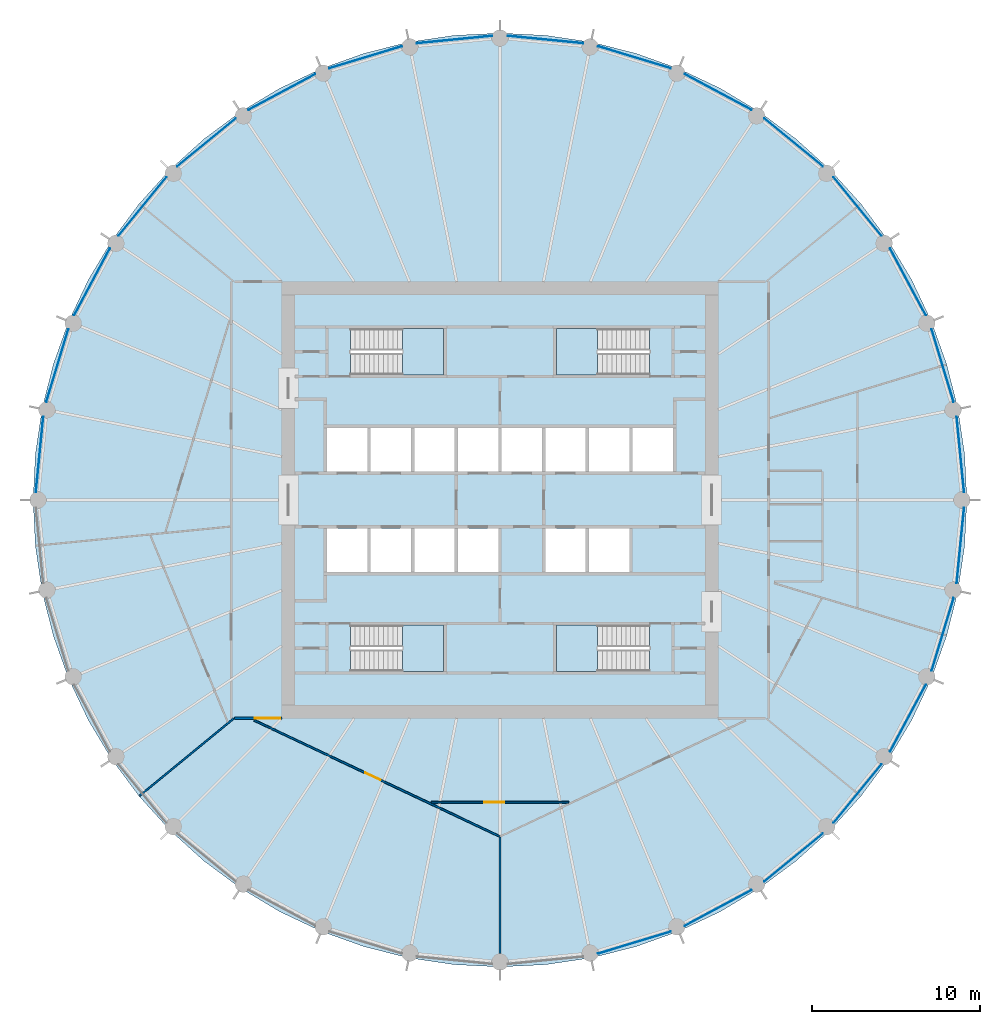
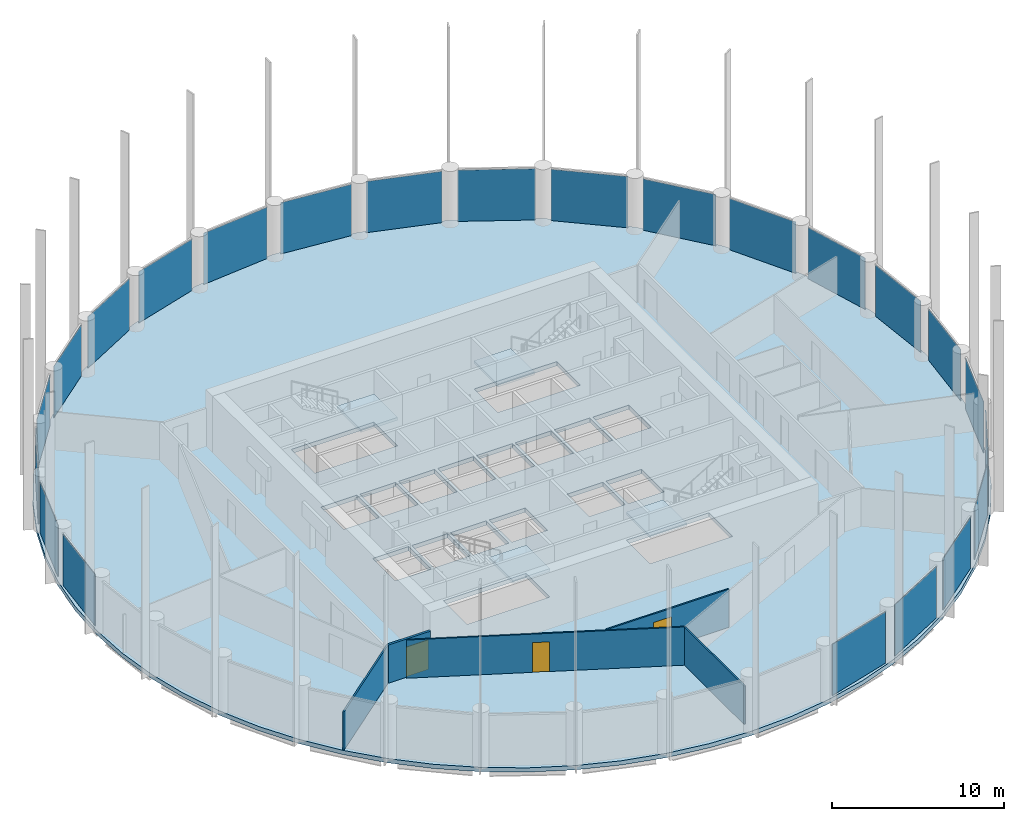
# One storey, part 3 of 8: 23 plates, 5 slabs, 5 walls, 3 doors, 3 openings, 27 elements without a shape of their own.
"""IFC4 building model written with IfcOpenShell, lengths in metres."""

from ifc_helpers import new_model, si_unit, direction, frame, frame_2d, origin, origin_2d, place, context, subcontext, project, spatial, polyline, rectangle, outline, extrude, material, layer, layer_set, type_object, element, fill, aggregate, save


model = new_model("IFC4")

# Units and contexts
model_context = context("Model", 3, precision=1e-05, world=origin(), true_north=direction((0.0, 1.0)))
body_context = subcontext(model_context, "Body", "Model", "MODEL_VIEW")
ifc_project = project(units=[si_unit("LENGTHUNIT", "METRE"), si_unit("AREAUNIT", "SQUARE_METRE"), si_unit("VOLUMEUNIT", "CUBIC_METRE"), si_unit("PLANEANGLEUNIT", "RADIAN"), si_unit("MASSUNIT", "GRAM", prefix="KILO")], contexts=[model_context])

# Site, building, storey
site_placement = place(None, origin())
site = spatial("IfcSite", under=ifc_project, at=site_placement, CompositionType="ELEMENT")
building_placement = place(site_placement, origin())
building = spatial("IfcBuilding", under=site, at=building_placement, Name="Corvane Civic Tower", CompositionType="ELEMENT")
storey_placement = place(building_placement, frame((0.0, 0.0, 249.5)))
storey = spatial("IfcBuildingStorey", under=building, at=storey_placement, Name="L59", CompositionType="ELEMENT", Elevation=249.5)

# Slab
ifc_material_1 = material(Name="Concrete C40/50", Category="concrete")
ifc_layer_1 = layer(ifc_material_1, 0.300048828125)
ifc_layer_set_1 = layer_set([ifc_layer_1], Name="Concrete C40/50")
slab_type_1 = type_object("IfcSlabType", Name="FLOOR SLAB 300", PredefinedType="FLOOR", material=ifc_layer_set_1)
slab_1_placement = place(storey_placement, frame((0.0, 0.0, -0.300048828125)))
element("IfcSlab", 1, at=slab_1_placement, inside=storey, type_object=slab_type_1, Name="SLB-L59", PredefinedType="FLOOR", context=body_context, shape_type="SweptSolid", body=[
    extrude(outline(polyline([(0.0, 27.800048828125), (-2.724853515625, 27.666015625), (-5.423583984375, 27.265869140625), (-8.06982421875, 26.60302734375), (-10.638671875, 25.683837890625), (-13.104736328125, 24.517333984375), (-15.44482421875, 23.11474609375), (-17.63623046875, 21.48974609375), (-19.657470703125, 19.657470703125), (-21.48974609375, 17.63623046875), (-23.11474609375, 15.44482421875), (-24.517333984375, 13.104736328125), (-25.683837890625, 10.638671875), (-26.60302734375, 8.06982421875), (-27.265869140625, 5.423583984375), (-27.666015625, 2.724853515625), (-27.800048828125, 0.0), (-27.666015625, -2.724853515625), (-27.265869140625, -5.423583984375), (-26.60302734375, -8.06982421875), (-25.683837890625, -10.638671875), (-24.517333984375, -13.104736328125), (-23.11474609375, -15.44482421875), (-21.48974609375, -17.63623046875), (-19.657470703125, -19.657470703125), (-17.63623046875, -21.48974609375), (-15.44482421875, -23.11474609375), (-13.104736328125, -24.517333984375), (-10.638671875, -25.683837890625), (-8.06982421875, -26.60302734375), (-5.423583984375, -27.265869140625), (-2.724853515625, -27.666015625), (0.0, -27.800048828125), (2.724853515625, -27.666015625), (5.423583984375, -27.265869140625), (8.06982421875, -26.60302734375), (10.638671875, -25.683837890625), (13.104736328125, -24.517333984375), (15.44482421875, -23.11474609375), (17.63623046875, -21.48974609375), (19.657470703125, -19.657470703125), (21.48974609375, -17.63623046875), (23.11474609375, -15.44482421875), (24.517333984375, -13.104736328125), (25.683837890625, -10.638671875), (26.60302734375, -8.06982421875), (27.265869140625, -5.423583984375), (27.666015625, -2.724853515625), (27.800048828125, 0.0), (27.666015625, 2.724853515625), (27.265869140625, 5.423583984375), (26.60302734375, 8.06982421875), (25.683837890625, 10.638671875), (24.517333984375, 13.104736328125), (23.11474609375, 15.44482421875), (21.48974609375, 17.63623046875), (19.657470703125, 19.657470703125), (17.63623046875, 21.48974609375), (15.44482421875, 23.11474609375), (13.104736328125, 24.517333984375), (10.638671875, 25.683837890625), (8.06982421875, 26.60302734375), (5.423583984375, 27.265869140625), (2.724853515625, 27.666015625), (0.0, 27.800048828125)]), holes=[polyline([(-10.300048828125, 4.300048828125), (-7.89990234375, 4.300048828125), (-7.89990234375, 1.699951171875), (-10.300048828125, 1.699951171875), (-10.300048828125, 4.300048828125)]), polyline([(-5.300048828125, 1.699951171875), (-7.699951171875, 1.699951171875), (-7.699951171875, 4.300048828125), (-5.300048828125, 4.300048828125), (-5.300048828125, 1.699951171875)]), polyline([(-5.10009765625, 4.300048828125), (-2.699951171875, 4.300048828125), (-2.699951171875, 1.699951171875), (-5.10009765625, 1.699951171875), (-5.10009765625, 4.300048828125)]), polyline([(-2.5, 4.300048828125), (-0.10009765625, 4.300048828125), (-0.10009765625, 1.699951171875), (-2.5, 1.699951171875), (-2.5, 4.300048828125)]), polyline([(0.10009765625, 4.300048828125), (2.5, 4.300048828125), (2.5, 1.699951171875), (0.10009765625, 1.699951171875), (0.10009765625, 4.300048828125)]), polyline([(2.699951171875, 4.300048828125), (5.10009765625, 4.300048828125), (5.10009765625, 1.699951171875), (2.699951171875, 1.699951171875), (2.699951171875, 4.300048828125)]), polyline([(5.300048828125, 4.300048828125), (7.699951171875, 4.300048828125), (7.699951171875, 1.699951171875), (5.300048828125, 1.699951171875), (5.300048828125, 4.300048828125)]), polyline([(7.89990234375, 4.300048828125), (10.300048828125, 4.300048828125), (10.300048828125, 1.699951171875), (7.89990234375, 1.699951171875), (7.89990234375, 4.300048828125)]), polyline([(-10.300048828125, -4.300048828125), (-10.300048828125, -1.699951171875), (-7.89990234375, -1.699951171875), (-7.89990234375, -4.300048828125), (-10.300048828125, -4.300048828125)]), polyline([(-5.300048828125, -1.699951171875), (-5.300048828125, -4.300048828125), (-7.699951171875, -4.300048828125), (-7.699951171875, -1.699951171875), (-5.300048828125, -1.699951171875)]), polyline([(-5.10009765625, -4.300048828125), (-5.10009765625, -1.699951171875), (-2.699951171875, -1.699951171875), (-2.699951171875, -4.300048828125), (-5.10009765625, -4.300048828125)]), polyline([(-0.10009765625, -1.699951171875), (-0.10009765625, -4.300048828125), (-2.5, -4.300048828125), (-2.5, -1.699951171875), (-0.10009765625, -1.699951171875)]), polyline([(5.10009765625, -1.699951171875), (5.10009765625, -4.300048828125), (2.699951171875, -4.300048828125), (2.699951171875, -1.699951171875), (5.10009765625, -1.699951171875)]), polyline([(7.699951171875, -1.699951171875), (7.699951171875, -4.300048828125), (5.300048828125, -4.300048828125), (5.300048828125, -1.699951171875), (7.699951171875, -1.699951171875)]), polyline([(8.889892578125, 10.199951171875), (8.889892578125, 7.449951171875), (3.35009765625, 7.449951171875), (3.35009765625, 10.199951171875), (8.889892578125, 10.199951171875)]), polyline([(-8.889892578125, 7.449951171875), (-8.889892578125, 10.199951171875), (-3.35009765625, 10.199951171875), (-3.35009765625, 7.449951171875), (-8.889892578125, 7.449951171875)]), polyline([(8.889892578125, -7.449951171875), (8.889892578125, -10.199951171875), (3.35009765625, -10.199951171875), (3.35009765625, -7.449951171875), (8.889892578125, -7.449951171875)]), polyline([(-8.889892578125, -10.199951171875), (-8.889892578125, -7.449951171875), (-3.35009765625, -7.449951171875), (-3.35009765625, -10.199951171875), (-8.889892578125, -10.199951171875)])]), origin(), (0.0, 0.0, 1.0), 0.300048828125),
])

# Stair, slab
ifc_material_2 = material(Name="Concrete C40/50", Category="concrete")
stair_type = type_object("IfcStairType", Name="ST-STAIR-HALFTURN", PredefinedType="HALF_TURN_STAIR", material=ifc_material_2)
stair_1_placement = place(storey_placement, origin())
stair_1 = element("IfcStair", 2, at=stair_1_placement, inside=storey, type_object=stair_type, Name="L59 Exit stair ST1", PredefinedType="HALF_TURN_STAIR")
ifc_material_3 = material(Name="Concrete C40/50", Category="concrete")
ifc_layer_2 = layer(ifc_material_3, 0.199951171875)
ifc_layer_set_2 = layer_set([ifc_layer_2], Name="Concrete C40/50")
slab_type_2 = type_object("IfcSlabType", Name="ST-LANDING-RC", PredefinedType="LANDING", material=ifc_layer_set_2)
slab_2_placement = place(storey_placement, frame((0.0, 0.0, 1.800048828125)))
slab_2 = element("IfcSlab", 3, at=slab_2_placement, type_object=slab_type_2, Name="ST1 landing 1", PredefinedType="LANDING", context=body_context, shape_type="SweptSolid", body=[
    extrude(outline(polyline([(5.820068359375, 10.199951171875), (3.35009765625, 10.199951171875), (3.35009765625, 7.449951171875), (5.820068359375, 7.449951171875), (5.820068359375, 10.199951171875)])), origin(), (0.0, 0.0, 1.0), 0.199951171875),
])
aggregate(stair_1, [slab_2])

stair_2_placement = place(storey_placement, origin())
stair_2 = element("IfcStair", 4, at=stair_2_placement, inside=storey, type_object=stair_type, Name="L59 Exit stair ST2", PredefinedType="HALF_TURN_STAIR")
slab_3_placement = place(storey_placement, frame((0.0, 0.0, 1.800048828125)))
slab_3 = element("IfcSlab", 5, at=slab_3_placement, type_object=slab_type_2, Name="ST2 landing 1", PredefinedType="LANDING", context=body_context, shape_type="SweptSolid", body=[
    extrude(outline(polyline([(5.820068359375, -7.449951171875), (3.35009765625, -7.449951171875), (3.35009765625, -10.199951171875), (5.820068359375, -10.199951171875), (5.820068359375, -7.449951171875)])), origin(), (0.0, 0.0, 1.0), 0.199951171875),
])
aggregate(stair_2, [slab_3])

stair_3_placement = place(storey_placement, origin())
stair_3 = element("IfcStair", 6, at=stair_3_placement, inside=storey, type_object=stair_type, Name="L59 Exit stair ST3", PredefinedType="HALF_TURN_STAIR")
slab_4_placement = place(storey_placement, frame((0.0, 0.0, 1.800048828125)))
slab_4 = element("IfcSlab", 7, at=slab_4_placement, type_object=slab_type_2, Name="ST3 landing 1", PredefinedType="LANDING", context=body_context, shape_type="SweptSolid", body=[
    extrude(outline(polyline([(-5.820068359375, -10.199951171875), (-3.35009765625, -10.199951171875), (-3.35009765625, -7.449951171875), (-5.820068359375, -7.449951171875), (-5.820068359375, -10.199951171875)])), origin(), (0.0, 0.0, 1.0), 0.199951171875),
])
aggregate(stair_3, [slab_4])

stair_4_placement = place(storey_placement, origin())
stair_4 = element("IfcStair", 8, at=stair_4_placement, inside=storey, type_object=stair_type, Name="L59 Exit stair ST4", PredefinedType="HALF_TURN_STAIR")
slab_5_placement = place(storey_placement, frame((0.0, 0.0, 1.800048828125)))
slab_5 = element("IfcSlab", 9, at=slab_5_placement, type_object=slab_type_2, Name="ST4 landing 1", PredefinedType="LANDING", context=body_context, shape_type="SweptSolid", body=[
    extrude(outline(polyline([(-5.820068359375, 7.449951171875), (-3.35009765625, 7.449951171875), (-3.35009765625, 10.199951171875), (-5.820068359375, 10.199951171875), (-5.820068359375, 7.449951171875)])), origin(), (0.0, 0.0, 1.0), 0.199951171875),
])
aggregate(stair_4, [slab_5])

# Curtain wall, plate
ifc_material_4 = material(Name="Anodised aluminium bronze", Category="aluminium")
curtain_wall_type = type_object("IfcCurtainWallType", Name="TOWER CW-T2 STICK CURTAIN WALL", PredefinedType="NOTDEFINED", material=ifc_material_4)
curtain_wall_1_placement = place(storey_placement, origin())
curtain_wall_1 = element("IfcCurtainWall", 10, at=curtain_wall_1_placement, inside=storey, type_object=curtain_wall_type, Name="Curtain wall CW-T2 L59 bay 01", PredefinedType="NOTDEFINED")
ifc_material_5 = material(Name="Tinted glass", Category="glass")
ifc_layer_3 = layer(ifc_material_5, 0.031982421875)
ifc_layer_set_3 = layer_set([ifc_layer_3], Name="Tinted glass")
plate_type = type_object("IfcPlateType", Name="TOWER CW-T2 PANEL IGU32", PredefinedType="CURTAIN_PANEL", material=ifc_layer_set_3)
plate_1_placement = place(storey_placement, frame((2.699951171875, 27.4140625, 0.0), z_axis=(0.0, 0.0, 1.0), x_axis=(0.995187058378, -0.097993463235, 0.0)))
plate_1 = element("IfcPlate", 11, at=plate_1_placement, type_object=plate_type, Name="Glass panel CW-T2 L59 01.1", PredefinedType="CURTAIN_PANEL", context=body_context, shape_type="SweptSolid", body=[
    extrude(rectangle(XDim=4.517333984375, YDim=0.031982421875, at=origin_2d()), origin(), (0.0, 0.0, 1.0), 3.6298828125),
])
aggregate(curtain_wall_1, [plate_1])

curtain_wall_2_placement = place(storey_placement, origin())
curtain_wall_2 = element("IfcCurtainWall", 12, at=curtain_wall_2_placement, inside=storey, type_object=curtain_wall_type, Name="Curtain wall CW-T2 L59 bay 02", PredefinedType="NOTDEFINED")
plate_2_placement = place(storey_placement, frame((7.996337890625, 26.360595703125, 0.0), z_axis=(0.0, 0.0, 1.0), x_axis=(0.956938843612, -0.290289596069, 0.0)))
plate_2 = element("IfcPlate", 13, at=plate_2_placement, type_object=plate_type, Name="Glass panel CW-T2 L59 02.1", PredefinedType="CURTAIN_PANEL", context=body_context, shape_type="SweptSolid", body=[
    extrude(rectangle(XDim=4.517333984375, YDim=0.031982421875, at=origin_2d()), origin(), (0.0, 0.0, 1.0), 3.6298828125),
])
aggregate(curtain_wall_2, [plate_2])

curtain_wall_3_placement = place(storey_placement, origin())
curtain_wall_3 = element("IfcCurtainWall", 14, at=curtain_wall_3_placement, inside=storey, type_object=curtain_wall_type, Name="Curtain wall CW-T2 L59 bay 03", PredefinedType="NOTDEFINED")
plate_3_placement = place(storey_placement, frame((12.9853515625, 24.294189453125, 0.0), z_axis=(0.0, 0.0, 1.0), x_axis=(0.881920381001, -0.471398389449, 0.0)))
plate_3 = element("IfcPlate", 15, at=plate_3_placement, type_object=plate_type, Name="Glass panel CW-T2 L59 03.1", PredefinedType="CURTAIN_PANEL", context=body_context, shape_type="SweptSolid", body=[
    extrude(rectangle(XDim=4.517333984375, YDim=0.031982421875, at=origin_2d()), origin(), (0.0, 0.0, 1.0), 3.6298828125),
])
aggregate(curtain_wall_3, [plate_3])

curtain_wall_4_placement = place(storey_placement, origin())
curtain_wall_4 = element("IfcCurtainWall", 16, at=curtain_wall_4_placement, inside=storey, type_object=curtain_wall_type, Name="Curtain wall CW-T2 L59 bay 04", PredefinedType="NOTDEFINED")
plate_4_placement = place(storey_placement, frame((17.475341796875, 21.2939453125, 0.0), z_axis=(0.0, 0.0, 1.0), x_axis=(0.773012269331, -0.634391071394, 0.0)))
plate_4 = element("IfcPlate", 17, at=plate_4_placement, type_object=plate_type, Name="Glass panel CW-T2 L59 04.1", PredefinedType="CURTAIN_PANEL", context=body_context, shape_type="SweptSolid", body=[
    extrude(rectangle(XDim=4.517333984375, YDim=0.031982421875, at=origin_2d()), origin(), (0.0, 0.0, 1.0), 3.6298828125),
])
aggregate(curtain_wall_4, [plate_4])

curtain_wall_5_placement = place(storey_placement, origin())
curtain_wall_5 = element("IfcCurtainWall", 18, at=curtain_wall_5_placement, inside=storey, type_object=curtain_wall_type, Name="Curtain wall CW-T2 L59 bay 05", PredefinedType="NOTDEFINED")
plate_5_placement = place(storey_placement, frame((21.2939453125, 17.475341796875, 0.0), z_axis=(0.0, 0.0, 1.0), x_axis=(0.634391071394, -0.773012269331, 0.0)))
plate_5 = element("IfcPlate", 19, at=plate_5_placement, type_object=plate_type, Name="Glass panel CW-T2 L59 05.1", PredefinedType="CURTAIN_PANEL", context=body_context, shape_type="SweptSolid", body=[
    extrude(rectangle(XDim=4.517333984375, YDim=0.031982421875, at=origin_2d()), origin(), (0.0, 0.0, 1.0), 3.6298828125),
])
aggregate(curtain_wall_5, [plate_5])

curtain_wall_6_placement = place(storey_placement, origin())
curtain_wall_6 = element("IfcCurtainWall", 20, at=curtain_wall_6_placement, inside=storey, type_object=curtain_wall_type, Name="Curtain wall CW-T2 L59 bay 06", PredefinedType="NOTDEFINED")
plate_6_placement = place(storey_placement, frame((24.294189453125, 12.9853515625, 0.0), z_axis=(0.0, 0.0, 1.0), x_axis=(0.471398389449, -0.881920381001, 0.0)))
plate_6 = element("IfcPlate", 21, at=plate_6_placement, type_object=plate_type, Name="Glass panel CW-T2 L59 06.1", PredefinedType="CURTAIN_PANEL", context=body_context, shape_type="SweptSolid", body=[
    extrude(rectangle(XDim=4.517333984375, YDim=0.031982421875, at=origin_2d()), origin(), (0.0, 0.0, 1.0), 3.6298828125),
])
aggregate(curtain_wall_6, [plate_6])

curtain_wall_7_placement = place(storey_placement, origin())
curtain_wall_7 = element("IfcCurtainWall", 22, at=curtain_wall_7_placement, inside=storey, type_object=curtain_wall_type, Name="Curtain wall CW-T2 L59 bay 07", PredefinedType="NOTDEFINED")
plate_7_placement = place(storey_placement, frame((26.360595703125, 7.996337890625, 0.0), z_axis=(0.0, 0.0, 1.0), x_axis=(0.290289596069, -0.956938843612, 0.0)))
plate_7 = element("IfcPlate", 23, at=plate_7_placement, type_object=plate_type, Name="Glass panel CW-T2 L59 07.1", PredefinedType="CURTAIN_PANEL", context=body_context, shape_type="SweptSolid", body=[
    extrude(rectangle(XDim=4.517333984375, YDim=0.031982421875, at=origin_2d()), origin(), (0.0, 0.0, 1.0), 3.6298828125),
])
aggregate(curtain_wall_7, [plate_7])

curtain_wall_8_placement = place(storey_placement, origin())
curtain_wall_8 = element("IfcCurtainWall", 24, at=curtain_wall_8_placement, inside=storey, type_object=curtain_wall_type, Name="Curtain wall CW-T2 L59 bay 08", PredefinedType="NOTDEFINED")
plate_8_placement = place(storey_placement, frame((27.4140625, 2.699951171875, 0.0), z_axis=(0.0, 0.0, 1.0), x_axis=(0.097993463235, -0.995187058378, 0.0)))
plate_8 = element("IfcPlate", 25, at=plate_8_placement, type_object=plate_type, Name="Glass panel CW-T2 L59 08.1", PredefinedType="CURTAIN_PANEL", context=body_context, shape_type="SweptSolid", body=[
    extrude(rectangle(XDim=4.517333984375, YDim=0.031982421875, at=origin_2d()), origin(), (0.0, 0.0, 1.0), 3.6298828125),
])
aggregate(curtain_wall_8, [plate_8])

curtain_wall_9_placement = place(storey_placement, origin())
curtain_wall_9 = element("IfcCurtainWall", 26, at=curtain_wall_9_placement, inside=storey, type_object=curtain_wall_type, Name="Curtain wall CW-T2 L59 bay 09", PredefinedType="NOTDEFINED")
plate_9_placement = place(storey_placement, frame((27.4140625, -2.699951171875, 0.0), z_axis=(0.0, 0.0, 1.0), x_axis=(-0.097993463235, -0.995187058378, 0.0)))
plate_9 = element("IfcPlate", 27, at=plate_9_placement, type_object=plate_type, Name="Glass panel CW-T2 L59 09.1", PredefinedType="CURTAIN_PANEL", context=body_context, shape_type="SweptSolid", body=[
    extrude(rectangle(XDim=4.517333984375, YDim=0.031982421875, at=origin_2d()), origin(), (0.0, 0.0, 1.0), 3.6298828125),
])
aggregate(curtain_wall_9, [plate_9])

curtain_wall_10_placement = place(storey_placement, origin())
curtain_wall_10 = element("IfcCurtainWall", 28, at=curtain_wall_10_placement, inside=storey, type_object=curtain_wall_type, Name="Curtain wall CW-T2 L59 bay 10", PredefinedType="NOTDEFINED")
plate_10_placement = place(storey_placement, frame((26.360595703125, -7.996337890625, 0.0), z_axis=(0.0, 0.0, 1.0), x_axis=(-0.290289596069, -0.956938843612, 0.0)))
plate_10 = element("IfcPlate", 29, at=plate_10_placement, type_object=plate_type, Name="Glass panel CW-T2 L59 10.1", PredefinedType="CURTAIN_PANEL", context=body_context, shape_type="SweptSolid", body=[
    extrude(rectangle(XDim=4.517333984375, YDim=0.031982421875, at=origin_2d()), origin(), (0.0, 0.0, 1.0), 3.6298828125),
])
aggregate(curtain_wall_10, [plate_10])

curtain_wall_11_placement = place(storey_placement, origin())
curtain_wall_11 = element("IfcCurtainWall", 30, at=curtain_wall_11_placement, inside=storey, type_object=curtain_wall_type, Name="Curtain wall CW-T2 L59 bay 11", PredefinedType="NOTDEFINED")
plate_11_placement = place(storey_placement, frame((24.294189453125, -12.9853515625, 0.0), z_axis=(0.0, 0.0, 1.0), x_axis=(-0.471398389449, -0.881920381001, 0.0)))
plate_11 = element("IfcPlate", 31, at=plate_11_placement, type_object=plate_type, Name="Glass panel CW-T2 L59 11.1", PredefinedType="CURTAIN_PANEL", context=body_context, shape_type="SweptSolid", body=[
    extrude(rectangle(XDim=4.517333984375, YDim=0.031982421875, at=origin_2d()), origin(), (0.0, 0.0, 1.0), 3.6298828125),
])
aggregate(curtain_wall_11, [plate_11])

curtain_wall_12_placement = place(storey_placement, origin())
curtain_wall_12 = element("IfcCurtainWall", 32, at=curtain_wall_12_placement, inside=storey, type_object=curtain_wall_type, Name="Curtain wall CW-T2 L59 bay 12", PredefinedType="NOTDEFINED")
plate_12_placement = place(storey_placement, frame((21.2939453125, -17.475341796875, 0.0), z_axis=(0.0, 0.0, 1.0), x_axis=(-0.634391071394, -0.773012269331, 0.0)))
plate_12 = element("IfcPlate", 33, at=plate_12_placement, type_object=plate_type, Name="Glass panel CW-T2 L59 12.1", PredefinedType="CURTAIN_PANEL", context=body_context, shape_type="SweptSolid", body=[
    extrude(rectangle(XDim=4.517333984375, YDim=0.031982421875, at=origin_2d()), origin(), (0.0, 0.0, 1.0), 3.6298828125),
])
aggregate(curtain_wall_12, [plate_12])

curtain_wall_13_placement = place(storey_placement, origin())
curtain_wall_13 = element("IfcCurtainWall", 34, at=curtain_wall_13_placement, inside=storey, type_object=curtain_wall_type, Name="Curtain wall CW-T2 L59 bay 13", PredefinedType="NOTDEFINED")
plate_13_placement = place(storey_placement, frame((17.475341796875, -21.2939453125, 0.0), z_axis=(0.0, 0.0, 1.0), x_axis=(-0.773012269331, -0.634391071394, 0.0)))
plate_13 = element("IfcPlate", 35, at=plate_13_placement, type_object=plate_type, Name="Glass panel CW-T2 L59 13.1", PredefinedType="CURTAIN_PANEL", context=body_context, shape_type="SweptSolid", body=[
    extrude(rectangle(XDim=4.517333984375, YDim=0.031982421875, at=origin_2d()), origin(), (0.0, 0.0, 1.0), 3.6298828125),
])
aggregate(curtain_wall_13, [plate_13])

curtain_wall_14_placement = place(storey_placement, origin())
curtain_wall_14 = element("IfcCurtainWall", 36, at=curtain_wall_14_placement, inside=storey, type_object=curtain_wall_type, Name="Curtain wall CW-T2 L59 bay 14", PredefinedType="NOTDEFINED")
plate_14_placement = place(storey_placement, frame((12.9853515625, -24.294189453125, 0.0), z_axis=(0.0, 0.0, 1.0), x_axis=(-0.881920381001, -0.471398389449, 0.0)))
plate_14 = element("IfcPlate", 37, at=plate_14_placement, type_object=plate_type, Name="Glass panel CW-T2 L59 14.1", PredefinedType="CURTAIN_PANEL", context=body_context, shape_type="SweptSolid", body=[
    extrude(rectangle(XDim=4.517333984375, YDim=0.031982421875, at=origin_2d()), origin(), (0.0, 0.0, 1.0), 3.6298828125),
])
aggregate(curtain_wall_14, [plate_14])

curtain_wall_15_placement = place(storey_placement, origin())
curtain_wall_15 = element("IfcCurtainWall", 38, at=curtain_wall_15_placement, inside=storey, type_object=curtain_wall_type, Name="Curtain wall CW-T2 L59 bay 15", PredefinedType="NOTDEFINED")
plate_15_placement = place(storey_placement, frame((7.996337890625, -26.360595703125, 0.0), z_axis=(0.0, 0.0, 1.0), x_axis=(-0.956938843612, -0.290289596069, 0.0)))
plate_15 = element("IfcPlate", 39, at=plate_15_placement, type_object=plate_type, Name="Glass panel CW-T2 L59 15.1", PredefinedType="CURTAIN_PANEL", context=body_context, shape_type="SweptSolid", body=[
    extrude(rectangle(XDim=4.517333984375, YDim=0.031982421875, at=origin_2d()), origin(), (0.0, 0.0, 1.0), 3.6298828125),
])
aggregate(curtain_wall_15, [plate_15])

curtain_wall_16_placement = place(storey_placement, origin())
curtain_wall_16 = element("IfcCurtainWall", 40, at=curtain_wall_16_placement, inside=storey, type_object=curtain_wall_type, Name="Curtain wall CW-T2 L59 bay 25", PredefinedType="NOTDEFINED")
plate_16_placement = place(storey_placement, frame((-27.4140625, 2.699951171875, 0.0), z_axis=(0.0, 0.0, 1.0), x_axis=(0.097993463235, 0.995187058378, 0.0)))
plate_16 = element("IfcPlate", 41, at=plate_16_placement, type_object=plate_type, Name="Glass panel CW-T2 L59 25.1", PredefinedType="CURTAIN_PANEL", context=body_context, shape_type="SweptSolid", body=[
    extrude(rectangle(XDim=4.517333984375, YDim=0.031982421875, at=origin_2d()), origin(), (0.0, 0.0, 1.0), 3.6298828125),
])
aggregate(curtain_wall_16, [plate_16])

curtain_wall_17_placement = place(storey_placement, origin())
curtain_wall_17 = element("IfcCurtainWall", 42, at=curtain_wall_17_placement, inside=storey, type_object=curtain_wall_type, Name="Curtain wall CW-T2 L59 bay 26", PredefinedType="NOTDEFINED")
plate_17_placement = place(storey_placement, frame((-26.360595703125, 7.996337890625, 0.0), z_axis=(0.0, 0.0, 1.0), x_axis=(0.290289596069, 0.956938843612, 0.0)))
plate_17 = element("IfcPlate", 43, at=plate_17_placement, type_object=plate_type, Name="Glass panel CW-T2 L59 26.1", PredefinedType="CURTAIN_PANEL", context=body_context, shape_type="SweptSolid", body=[
    extrude(rectangle(XDim=4.517333984375, YDim=0.031982421875, at=origin_2d()), origin(), (0.0, 0.0, 1.0), 3.6298828125),
])
aggregate(curtain_wall_17, [plate_17])

curtain_wall_18_placement = place(storey_placement, origin())
curtain_wall_18 = element("IfcCurtainWall", 44, at=curtain_wall_18_placement, inside=storey, type_object=curtain_wall_type, Name="Curtain wall CW-T2 L59 bay 27", PredefinedType="NOTDEFINED")
plate_18_placement = place(storey_placement, frame((-24.294189453125, 12.9853515625, 0.0), z_axis=(0.0, 0.0, 1.0), x_axis=(0.471398389449, 0.881920381001, 0.0)))
plate_18 = element("IfcPlate", 45, at=plate_18_placement, type_object=plate_type, Name="Glass panel CW-T2 L59 27.1", PredefinedType="CURTAIN_PANEL", context=body_context, shape_type="SweptSolid", body=[
    extrude(rectangle(XDim=4.517333984375, YDim=0.031982421875, at=origin_2d()), origin(), (0.0, 0.0, 1.0), 3.6298828125),
])
aggregate(curtain_wall_18, [plate_18])

curtain_wall_19_placement = place(storey_placement, origin())
curtain_wall_19 = element("IfcCurtainWall", 46, at=curtain_wall_19_placement, inside=storey, type_object=curtain_wall_type, Name="Curtain wall CW-T2 L59 bay 28", PredefinedType="NOTDEFINED")
plate_19_placement = place(storey_placement, frame((-21.2939453125, 17.475341796875, 0.0), z_axis=(0.0, 0.0, 1.0), x_axis=(0.634391071394, 0.773012269331, 0.0)))
plate_19 = element("IfcPlate", 47, at=plate_19_placement, type_object=plate_type, Name="Glass panel CW-T2 L59 28.1", PredefinedType="CURTAIN_PANEL", context=body_context, shape_type="SweptSolid", body=[
    extrude(rectangle(XDim=4.517333984375, YDim=0.031982421875, at=origin_2d()), origin(), (0.0, 0.0, 1.0), 3.6298828125),
])
aggregate(curtain_wall_19, [plate_19])

curtain_wall_20_placement = place(storey_placement, origin())
curtain_wall_20 = element("IfcCurtainWall", 48, at=curtain_wall_20_placement, inside=storey, type_object=curtain_wall_type, Name="Curtain wall CW-T2 L59 bay 29", PredefinedType="NOTDEFINED")
plate_20_placement = place(storey_placement, frame((-17.475341796875, 21.2939453125, 0.0), z_axis=(0.0, 0.0, 1.0), x_axis=(0.773012269331, 0.634391071394, 0.0)))
plate_20 = element("IfcPlate", 49, at=plate_20_placement, type_object=plate_type, Name="Glass panel CW-T2 L59 29.1", PredefinedType="CURTAIN_PANEL", context=body_context, shape_type="SweptSolid", body=[
    extrude(rectangle(XDim=4.517333984375, YDim=0.031982421875, at=origin_2d()), origin(), (0.0, 0.0, 1.0), 3.6298828125),
])
aggregate(curtain_wall_20, [plate_20])

curtain_wall_21_placement = place(storey_placement, origin())
curtain_wall_21 = element("IfcCurtainWall", 50, at=curtain_wall_21_placement, inside=storey, type_object=curtain_wall_type, Name="Curtain wall CW-T2 L59 bay 30", PredefinedType="NOTDEFINED")
plate_21_placement = place(storey_placement, frame((-12.9853515625, 24.294189453125, 0.0), z_axis=(0.0, 0.0, 1.0), x_axis=(0.881920381001, 0.471398389449, 0.0)))
plate_21 = element("IfcPlate", 51, at=plate_21_placement, type_object=plate_type, Name="Glass panel CW-T2 L59 30.1", PredefinedType="CURTAIN_PANEL", context=body_context, shape_type="SweptSolid", body=[
    extrude(rectangle(XDim=4.517333984375, YDim=0.031982421875, at=origin_2d()), origin(), (0.0, 0.0, 1.0), 3.6298828125),
])
aggregate(curtain_wall_21, [plate_21])

curtain_wall_22_placement = place(storey_placement, origin())
curtain_wall_22 = element("IfcCurtainWall", 52, at=curtain_wall_22_placement, inside=storey, type_object=curtain_wall_type, Name="Curtain wall CW-T2 L59 bay 31", PredefinedType="NOTDEFINED")
plate_22_placement = place(storey_placement, frame((-7.996337890625, 26.360595703125, 0.0), z_axis=(0.0, 0.0, 1.0), x_axis=(0.956938843612, 0.290289596069, 0.0)))
plate_22 = element("IfcPlate", 53, at=plate_22_placement, type_object=plate_type, Name="Glass panel CW-T2 L59 31.1", PredefinedType="CURTAIN_PANEL", context=body_context, shape_type="SweptSolid", body=[
    extrude(rectangle(XDim=4.517333984375, YDim=0.031982421875, at=origin_2d()), origin(), (0.0, 0.0, 1.0), 3.6298828125),
])
aggregate(curtain_wall_22, [plate_22])

curtain_wall_23_placement = place(storey_placement, origin())
curtain_wall_23 = element("IfcCurtainWall", 54, at=curtain_wall_23_placement, inside=storey, type_object=curtain_wall_type, Name="Curtain wall CW-T2 L59 bay 32", PredefinedType="NOTDEFINED")
plate_23_placement = place(storey_placement, frame((-2.699951171875, 27.4140625, 0.0), z_axis=(0.0, 0.0, 1.0), x_axis=(0.995187058378, 0.097993463235, 0.0)))
plate_23 = element("IfcPlate", 55, at=plate_23_placement, type_object=plate_type, Name="Glass panel CW-T2 L59 32.1", PredefinedType="CURTAIN_PANEL", context=body_context, shape_type="SweptSolid", body=[
    extrude(rectangle(XDim=4.517333984375, YDim=0.031982421875, at=origin_2d()), origin(), (0.0, 0.0, 1.0), 3.6298828125),
])
aggregate(curtain_wall_23, [plate_23])

# Wall
ifc_material_6 = material(Name="Plasterboard")
ifc_layer_4 = layer(ifc_material_6, 0.10009765625)
ifc_layer_set_4 = layer_set([ifc_layer_4], Name="Plasterboard")
wall_type_1 = type_object("IfcWallType", Name="Partition 100 plasterboard on studs", PredefinedType="PARTITIONING", material=ifc_layer_set_4)
wall_1_placement = place(storey_placement, frame((0.0, -26.989990234375, 0.0), z_axis=(0.0, 0.0, 1.0), x_axis=(0.0, 1.0, 0.0)))
element("IfcWall", 56, at=wall_1_placement, inside=storey, type_object=wall_type_1, Name="Partition L59.001", PredefinedType="PARTITIONING", context=body_context, shape_type="SweptSolid", body=[
    extrude(rectangle(XDim=6.91748046875, YDim=0.10009765625, at=frame_2d((3.458740234375, 0.0))), origin(), (0.0, 0.0, 1.0), 2.699951171875),
])

# Wall, opening, door
wall_2_placement = place(storey_placement, frame((-14.632568359375, -13.1201171875, 0.0), z_axis=(0.0, 0.0, 1.0), x_axis=(0.903988165601, -0.427557477368, 0.0)))
wall_2 = element("IfcWall", 57, at=wall_2_placement, inside=storey, type_object=wall_type_1, Name="Partition L59.002", PredefinedType="PARTITIONING", context=body_context, shape_type="SweptSolid", body=[
    extrude(rectangle(XDim=16.155029296875, YDim=0.10009765625, at=frame_2d((8.07763671875, 0.0))), origin(), (0.0, 0.0, 1.0), 2.699951171875),
])
opening_1_placement = place(wall_2_placement, frame((7.306884765625, 0.0, 0.0)))
opening_1 = element("IfcOpeningElement", 58, at=opening_1_placement, cuts=wall_2, Name="Opening L59.003", PredefinedType="OPENING", context=body_context, shape_type="SweptSolid", body=[
    extrude(rectangle(XDim=1.0, YDim=2.10009765625, at=frame_2d((0.5, 1.050048828125))), frame((0.0, 0.06005859375, 0.0), z_axis=(0.0, -1.0, 0.0), x_axis=(1.0, 0.0, 0.0)), (0.0, 0.0, 1.0), 0.1201171875),
])
ifc_material_7 = material(Name="Timber", Category="wood")
door_type_1 = type_object("IfcDoorType", Name="Single door 1000", OperationType="NOTDEFINED", PredefinedType="DOOR", material=ifc_material_7)
door_1_placement = place(opening_1_placement, frame((1.0, 0.0, 0.0), z_axis=(0.0, 0.0, 1.0), x_axis=(-1.0, 0.0, 0.0)))
door_1 = element("IfcDoor", 59, at=door_1_placement, inside=storey, type_object=door_type_1, Name="Door L59.003", OperationType="SINGLE_SWING_RIGHT", OverallHeight=2.10009765625, OverallWidth=1.0, PredefinedType="DOOR", context=body_context, shape_type="SweptSolid", body=[
    extrude(rectangle(XDim=1.0, YDim=2.10009765625, at=frame_2d((0.5, 1.050048828125))), frame((0.0, 0.02490234375, 0.0), z_axis=(0.0, -1.0, 0.0), x_axis=(1.0, 0.0, 0.0)), (0.0, 0.0, 1.0), 0.050048828125),
])
fill(opening_1, door_1)

wall_3_placement = place(storey_placement, frame((-4.092529296875, -18.0, 0.0), z_axis=(0.0, 0.0, 1.0), x_axis=(1.0, 0.0, 0.0)))
wall_3 = element("IfcWall", 60, at=wall_3_placement, inside=storey, type_object=wall_type_1, Name="Partition L59.004", PredefinedType="PARTITIONING", context=body_context, shape_type="SweptSolid", body=[
    extrude(rectangle(XDim=8.18505859375, YDim=0.10009765625, at=frame_2d((4.092529296875, 0.0))), origin(), (0.0, 0.0, 1.0), 2.699951171875),
])
opening_2_placement = place(wall_3_placement, frame((3.157958984375, 0.0, 0.0)))
opening_2 = element("IfcOpeningElement", 61, at=opening_2_placement, cuts=wall_3, Name="Opening L59.004", PredefinedType="OPENING", context=body_context, shape_type="SweptSolid", body=[
    extrude(rectangle(XDim=1.199951171875, YDim=2.10009765625, at=frame_2d((0.60009765625, 1.050048828125))), frame((0.0, 0.06005859375, 0.0), z_axis=(0.0, -1.0, 0.0), x_axis=(1.0, 0.0, 0.0)), (0.0, 0.0, 1.0), 0.1201171875),
])
ifc_material_8 = material(Name="Timber", Category="wood")
door_type_2 = type_object("IfcDoorType", Name="Double door 1200", OperationType="NOTDEFINED", PredefinedType="DOOR", material=ifc_material_8)
door_2_placement = place(opening_2_placement, frame((1.199951171875, 0.0, 0.0), z_axis=(0.0, 0.0, 1.0), x_axis=(-1.0, 0.0, 0.0)))
door_2 = element("IfcDoor", 62, at=door_2_placement, inside=storey, type_object=door_type_2, Name="Door L59.004", OperationType="DOUBLE_DOOR_SINGLE_SWING", OverallHeight=2.10009765625, OverallWidth=1.199951171875, PredefinedType="DOOR", context=body_context, shape_type="SweptSolid", body=[
    extrude(rectangle(XDim=1.199951171875, YDim=2.10009765625, at=frame_2d((0.60009765625, 1.050048828125))), frame((0.0, 0.02490234375, 0.0), z_axis=(0.0, -1.0, 0.0), x_axis=(1.0, 0.0, 0.0)), (0.0, 0.0, 1.0), 0.050048828125),
])
fill(opening_2, door_2)

# Wall
wall_4_placement = place(storey_placement, frame((-21.451171875, -17.6044921875, 0.0), z_axis=(0.0, 0.0, 1.0), x_axis=(0.772997895748, 0.634408585352, 0.0)))
element("IfcWall", 63, at=wall_4_placement, inside=storey, type_object=wall_type_1, Name="Partition L59.005", PredefinedType="PARTITIONING", context=body_context, shape_type="SweptSolid", body=[
    extrude(rectangle(XDim=7.240234375, YDim=0.10009765625, at=frame_2d((3.6201171875, 0.0))), origin(), (0.0, 0.0, 1.0), 2.699951171875),
])

# Wall, opening, door
ifc_material_9 = material(Name="Plasterboard")
ifc_layer_5 = layer(ifc_material_9, 0.14990234375)
ifc_layer_set_5 = layer_set([ifc_layer_5], Name="Plasterboard")
wall_type_2 = type_object("IfcWallType", Name="Tenancy wall 150 EI 60", PredefinedType="PARTITIONING", material=ifc_layer_set_5)
wall_5_placement = place(storey_placement, frame((-15.813720703125, -13.0, 0.0), z_axis=(0.0, 0.0, 1.0), x_axis=(1.0, 0.0, 0.0)))
wall_5 = element("IfcWall", 64, at=wall_5_placement, inside=storey, type_object=wall_type_2, Name="Partition L59.009", PredefinedType="PARTITIONING", context=body_context, shape_type="SweptSolid", body=[
    extrude(rectangle(XDim=2.82373046875, YDim=0.14990234375, at=frame_2d((1.411865234375, 0.0))), origin(), (0.0, 0.0, 1.0), 2.699951171875),
])
opening_3_placement = place(wall_5_placement, frame((1.214599609375, 0.0, 0.0)))
opening_3 = element("IfcOpeningElement", 65, at=opening_3_placement, cuts=wall_5, Name="Opening L59.005", PredefinedType="OPENING", context=body_context, shape_type="SweptSolid", body=[
    extrude(rectangle(XDim=1.5, YDim=2.10009765625, at=frame_2d((0.75, 1.050048828125))), frame((0.0, 0.0849609375, 0.0), z_axis=(0.0, -1.0, 0.0), x_axis=(1.0, 0.0, 0.0)), (0.0, 0.0, 1.0), 0.169921875),
])
ifc_material_10 = material(Name="Steel and timber", Category="steel")
door_type_3 = type_object("IfcDoorType", Name="Fire door FD60 double 1500", OperationType="NOTDEFINED", PredefinedType="DOOR", material=ifc_material_10)
door_3_placement = place(opening_3_placement, frame((1.5, 0.0, 0.0), z_axis=(0.0, 0.0, 1.0), x_axis=(-1.0, 0.0, 0.0)))
door_3 = element("IfcDoor", 66, at=door_3_placement, inside=storey, type_object=door_type_3, Name="Door L59.005", OperationType="DOUBLE_DOOR_SINGLE_SWING", OverallHeight=2.10009765625, OverallWidth=1.5, PredefinedType="DOOR", context=body_context, shape_type="SweptSolid", body=[
    extrude(rectangle(XDim=1.5, YDim=2.10009765625, at=frame_2d((0.75, 1.050048828125))), frame((0.0, 0.02490234375, 0.0), z_axis=(0.0, -1.0, 0.0), x_axis=(1.0, 0.0, 0.0)), (0.0, 0.0, 1.0), 0.050048828125),
])
fill(opening_3, door_3)

save(model, "model.ifc")
